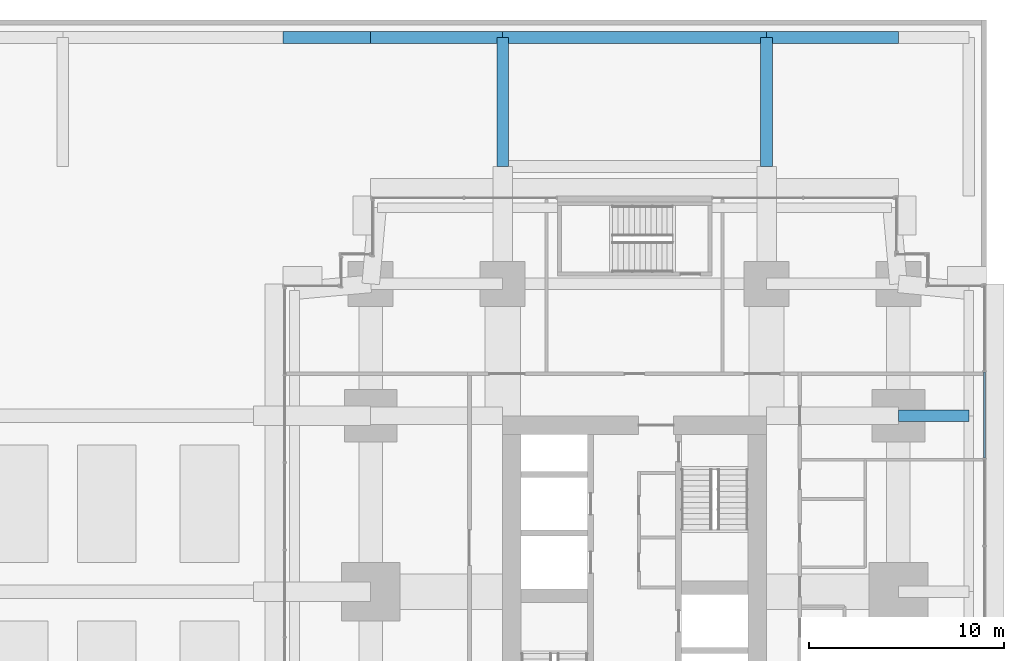
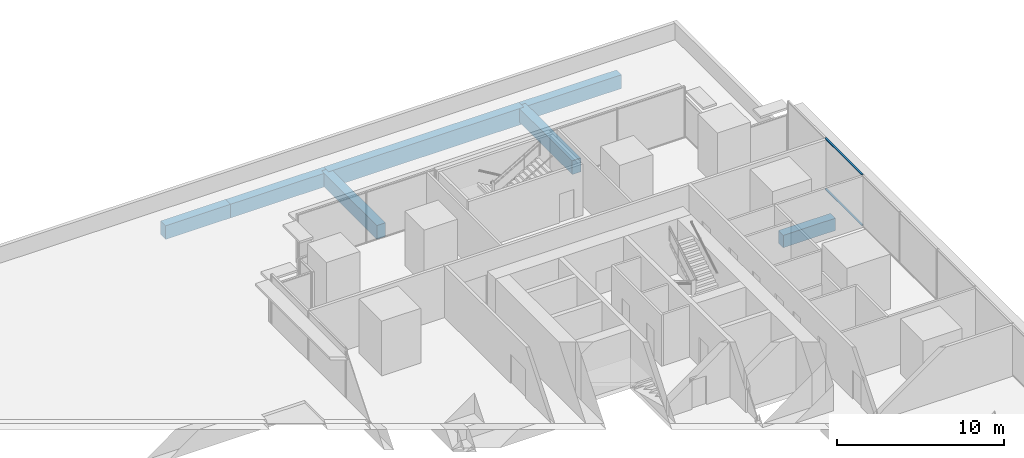
# One storey, part 19 of 34: 7 beams, 2 members, 1 element without a shape of its own.
"""IFC4 building model written with IfcOpenShell, lengths in metres."""

from ifc_helpers import new_model, si_unit, direction, frame, origin, origin_2d, place, context, subcontext, project, spatial, rectangle, extrude, material, layer, layer_set, material_profile, profile_set, type_object, element, aggregate, save


model = new_model("IFC4")

# Units and contexts
model_context = context("Model", 3, precision=1e-05, world=origin(), true_north=direction((0.0, 1.0)))
body_context = subcontext(model_context, "Body", "Model", "MODEL_VIEW")
ifc_project = project(units=[si_unit("LENGTHUNIT", "METRE"), si_unit("AREAUNIT", "SQUARE_METRE"), si_unit("VOLUMEUNIT", "CUBIC_METRE"), si_unit("PLANEANGLEUNIT", "RADIAN"), si_unit("MASSUNIT", "GRAM", prefix="KILO")], contexts=[model_context])

# Site, building, storey
site_placement = place(None, origin())
site = spatial("IfcSite", under=ifc_project, at=site_placement, CompositionType="ELEMENT")
building_placement = place(site_placement, origin())
building = spatial("IfcBuilding", under=site, at=building_placement, Name="Namib Vertical Campus", CompositionType="ELEMENT")
storey_placement = place(building_placement, frame((0.0, 0.0, 21.0)))
storey = spatial("IfcBuildingStorey", under=building, at=storey_placement, Name="L04", CompositionType="ELEMENT", Elevation=21.0)

# Beam
ifc_material_1 = material(Name="Concrete C40/50", Category="concrete")
ifc_material_profile_1 = material_profile(ifc_material_1, rectangle(XDim=0.60009765625, YDim=0.89990234375, at=origin_2d()))
ifc_profile_set_1 = profile_set([ifc_material_profile_1], Name="Concrete C40/50")
beam_type_1 = type_object("IfcBeamType", Name="Cantilever girder RC 600x900", PredefinedType="BEAM", material=ifc_profile_set_1)
beam_1_placement = place(storey_placement, frame((94.5, 29.25, -0.75), z_axis=(1.0, 0.0, 0.0), x_axis=(0.0, 1.0, 0.0)))
element("IfcBeam", 1, at=beam_1_placement, inside=storey, type_object=beam_type_1, Name="Beam B3 L04", PredefinedType="BEAM", context=body_context, shape_type="SweptSolid", body=[
    extrude(rectangle(XDim=0.60009765625, YDim=0.89990234375, at=origin_2d()), origin(), (0.0, 0.0, 1.0), 3.60009765625),
])

# Curtain wall, members
ifc_material_2 = material(Name="Black aluminium curtain wall", Category="aluminium")
ifc_layer = layer(ifc_material_2, 0.199951171875)
ifc_layer_set = layer_set([ifc_layer], Name="Lounge curtain wall CW-L4")
curtain_wall_type = type_object("IfcCurtainWallType", Name="Lounge curtain wall CW-L4", PredefinedType="USERDEFINED", material=ifc_layer_set)
curtain_wall_placement = place(storey_placement, origin())
curtain_wall = element("IfcCurtainWall", 2, at=curtain_wall_placement, inside=storey, type_object=curtain_wall_type, Name="Curtain wall CW-L4 L04 F06-1", ObjectType="CURTAIN WALL", PredefinedType="USERDEFINED")
ifc_material_3 = material(Name="Black anodised aluminium", Category="aluminium")
ifc_material_profile_2 = material_profile(ifc_material_3, rectangle(XDim=0.06005859375, YDim=0.1201171875, at=origin_2d()))
ifc_profile_set_2 = profile_set([ifc_material_profile_2], Name="Black anodised aluminium")
member_type = type_object("IfcMemberType", Name="Curtain wall transom 60x120", PredefinedType="USERDEFINED", material=ifc_profile_set_2)
member_1_placement = place(storey_placement, frame((98.89990234375, 27.087158203125, 0.030029296875), z_axis=(0.0, 1.0, 0.0), x_axis=(0.0, 0.0, 1.0)))
member_1 = element("IfcMember", 3, at=member_1_placement, type_object=member_type, Name="CW-L4 transom 6.1", ObjectType="TRANSOM", PredefinedType="USERDEFINED", context=body_context, shape_type="SweptSolid", body=[
    extrude(rectangle(XDim=0.06005859375, YDim=0.1201171875, at=origin_2d()), origin(), (0.0, 0.0, 1.0), 4.411376953125),
])
member_2_placement = place(storey_placement, frame((98.89990234375, 27.087158203125, 3.719970703125), z_axis=(0.0, 1.0, 0.0), x_axis=(0.0, 0.0, 1.0)))
member_2 = element("IfcMember", 4, at=member_2_placement, type_object=member_type, Name="CW-L4 transom 6.2", ObjectType="TRANSOM", PredefinedType="USERDEFINED", context=body_context, shape_type="SweptSolid", body=[
    extrude(rectangle(XDim=0.06005859375, YDim=0.1201171875, at=origin_2d()), origin(), (0.0, 0.0, 1.0), 4.411376953125),
])
aggregate(curtain_wall, [member_1, member_2])

# Beams
ifc_material_4 = material(Name="Concrete C40/50", Category="concrete")
ifc_material_profile_3 = material_profile(ifc_material_4, rectangle(XDim=0.60009765625, YDim=1.199951171875, at=origin_2d()))
ifc_profile_set_3 = profile_set([ifc_material_profile_3], Name="Concrete C40/50")
beam_type_2 = type_object("IfcBeamType", Name="Long-span podium beam RC 600x1200", PredefinedType="BEAM", material=ifc_profile_set_3)
beam_2_placement = place(storey_placement, frame((74.25, 48.60009765625, -0.89990234375), z_axis=(1.0, 0.0, 0.0), x_axis=(0.0, 1.0, 0.0)))
element("IfcBeam", 5, at=beam_2_placement, inside=storey, type_object=beam_type_2, Name="Beam PB4 L04", PredefinedType="BEAM", context=body_context, shape_type="SweptSolid", body=[
    extrude(rectangle(XDim=0.60009765625, YDim=1.199951171875, at=origin_2d()), origin(), (0.0, 0.0, 1.0), 13.5),
])
ifc_material_5 = material(Name="Concrete C40/50", Category="concrete")
ifc_material_profile_4 = material_profile(ifc_material_5, rectangle(XDim=0.60009765625, YDim=1.0, at=origin_2d()))
ifc_profile_set_4 = profile_set([ifc_material_profile_4], Name="Concrete C40/50")
beam_type_3 = type_object("IfcBeamType", Name="Podium beam RC 600x1000", PredefinedType="BEAM", material=ifc_profile_set_4)
for number, where, z_axis, x_axis, name in (
    (6, (74.25, 42.0, -0.800048828125), (0.0, 1.0, 0.0), (-1.0, 0.0, 0.0), "Beam PB1 L04"),
    (7, (87.75, 42.0, -0.800048828125), (0.0, 1.0, 0.0), (-1.0, 0.0, 0.0), "Beam PB1 L04"),
):
    element("IfcBeam", number, at=place(storey_placement, frame(where, z_axis=z_axis, x_axis=x_axis)), inside=storey, type_object=beam_type_3, Name=name, PredefinedType="BEAM", context=body_context, shape_type="SweptSolid", body=[
        extrude(rectangle(XDim=0.60009765625, YDim=1.0, at=origin_2d()), origin(), (0.0, 0.0, 1.0), 6.60009765625),
    ])
beam_3_placement = place(storey_placement, frame((63.0, 48.60009765625, -0.800048828125), z_axis=(1.0, 0.0, 0.0), x_axis=(0.0, 1.0, 0.0)))
element("IfcBeam", 8, at=beam_3_placement, inside=storey, type_object=beam_type_3, Name="Beam PB1 L04", PredefinedType="BEAM", context=body_context, shape_type="SweptSolid", body=[
    extrude(rectangle(XDim=0.60009765625, YDim=1.0, at=origin_2d()), origin(), (0.0, 0.0, 1.0), 4.5),
])
for number, where, z_axis, x_axis, name in (
    (9, (67.5, 48.60009765625, -0.800048828125), (1.0, 0.0, 0.0), (0.0, 1.0, 0.0), "Beam PB1 L04"),
    (10, (87.75, 48.60009765625, -0.800048828125), (1.0, 0.0, 0.0), (0.0, 1.0, 0.0), "Beam PB1 L04"),
):
    element("IfcBeam", number, at=place(storey_placement, frame(where, z_axis=z_axis, x_axis=x_axis)), inside=storey, type_object=beam_type_3, Name=name, PredefinedType="BEAM", context=body_context, shape_type="SweptSolid", body=[
        extrude(rectangle(XDim=0.60009765625, YDim=1.0, at=origin_2d()), origin(), (0.0, 0.0, 1.0), 6.75),
    ])

save(model, "model.ifc")
